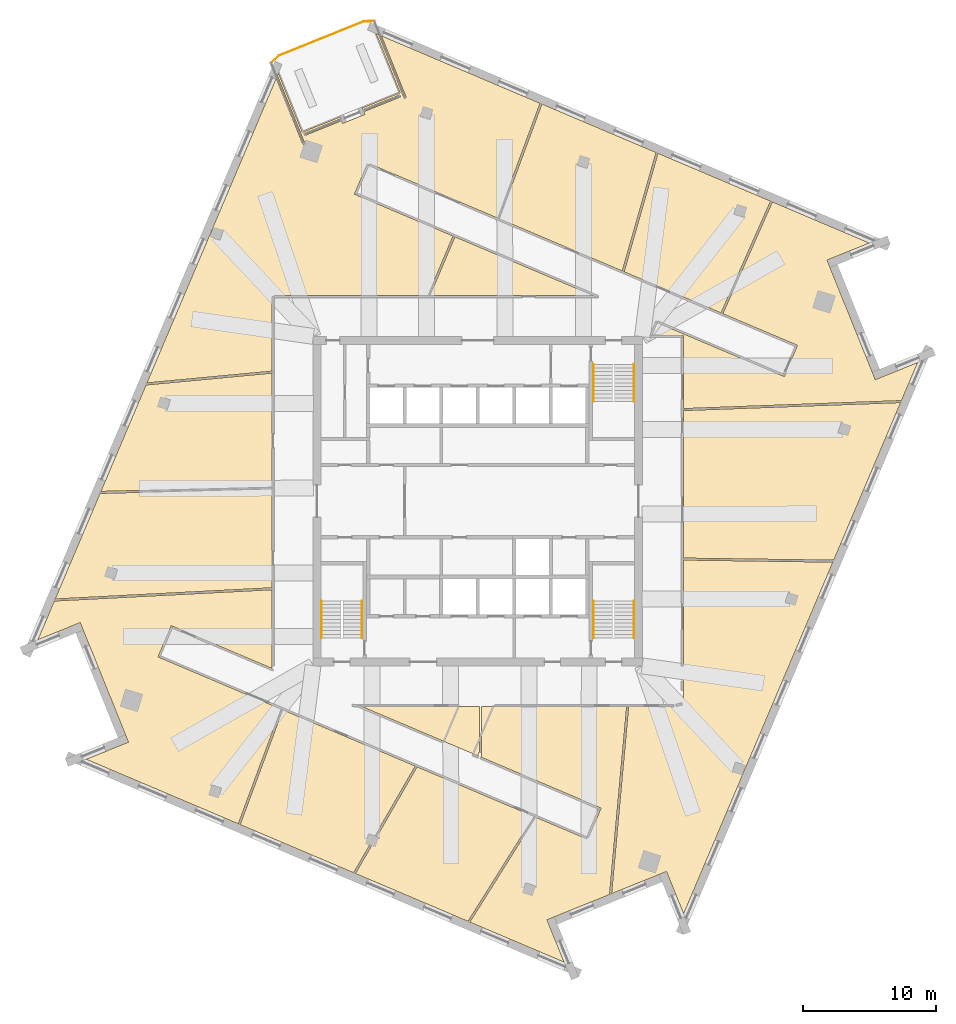
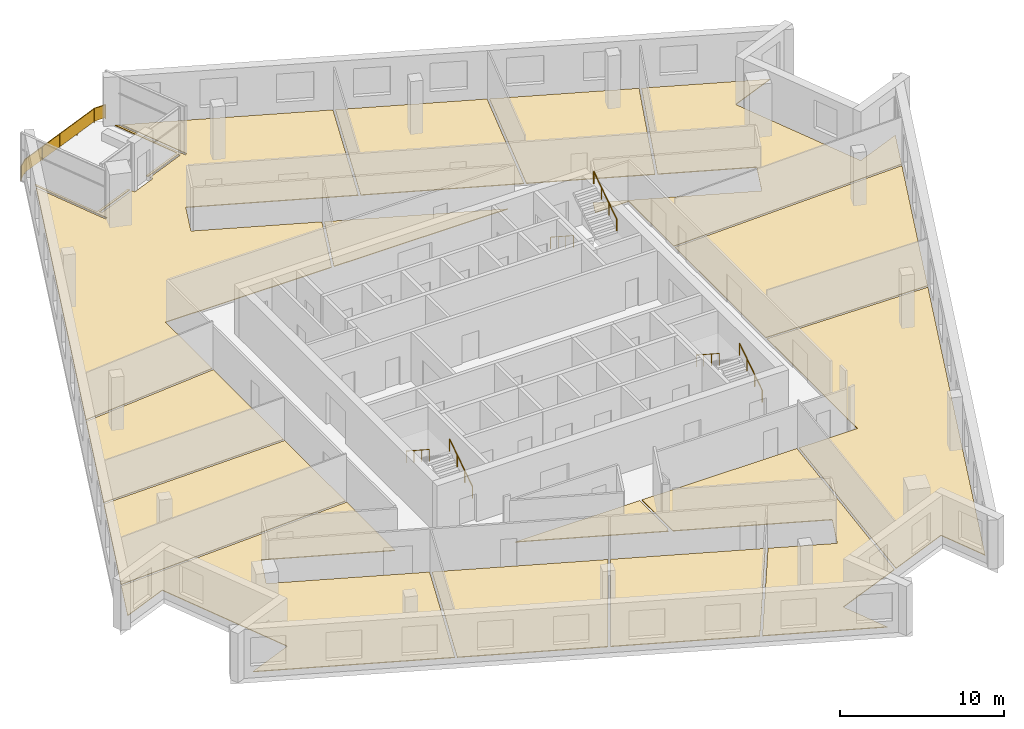
# One storey, part 12 of 13: 14 coverings, 7 railings.
"""IFC4 building model written with IfcOpenShell, lengths in metres."""

from ifc_helpers import new_model, si_unit, direction, frame, origin, origin_2d, place, context, subcontext, project, spatial, polyline, rectangle, circle, outline, extrude, material, layer, layer_set, type_object, element, save


model = new_model("IFC4")

# Units and contexts
model_context = context("Model", 3, precision=1e-05, world=origin(), true_north=direction((0.0, 1.0)))
body_context = subcontext(model_context, "Body", "Model", "MODEL_VIEW")
ifc_project = project(units=[si_unit("LENGTHUNIT", "METRE"), si_unit("AREAUNIT", "SQUARE_METRE"), si_unit("VOLUMEUNIT", "CUBIC_METRE"), si_unit("PLANEANGLEUNIT", "RADIAN"), si_unit("MASSUNIT", "GRAM", prefix="KILO")], contexts=[model_context])

# Site, building, storey
site_placement = place(None, origin())
site = spatial("IfcSite", under=ifc_project, at=site_placement, CompositionType="ELEMENT")
building_placement = place(site_placement, origin())
building = spatial("IfcBuilding", under=site, at=building_placement, Name="Dilmun Exchange Tower", CompositionType="ELEMENT")
storey_placement = place(building_placement, frame((0.0, 0.0, 296.5)))
storey = spatial("IfcBuildingStorey", under=building, at=storey_placement, Name="L70", CompositionType="ELEMENT", Elevation=296.5)

# Coverings
ifc_material_1 = material(Name="Carpet floor finish 50")
ifc_layer_1 = layer(ifc_material_1, 0.050048828125)
ifc_layer_set_1 = layer_set([ifc_layer_1], Name="Carpet floor finish 50")
covering_type_1 = type_object("IfcCoveringType", Name="Carpet floor finish 50", PredefinedType="FLOORING", material=ifc_layer_set_1)
covering_1_placement = place(storey_placement, origin())
element("IfcCovering", 1, at=covering_1_placement, inside=storey, type_object=covering_type_1, Name="Carpet floor finish 50 Garden lounge", PredefinedType="FLOORING", context=body_context, shape_type="SweptSolid", body=[
    extrude(outline(polyline([(-10.367919921875, 28.916259765625), (-10.314208984375, 28.78369140625), (-13.083740234375, 27.664794921875), (-13.083984375, 27.66455078125), (-13.084228515625, 27.66455078125), (-13.084228515625, 27.664306640625), (-13.08447265625, 27.664306640625), (-13.084716796875, 27.664306640625), (-13.084716796875, 27.6640625), (-13.084716796875, 27.663818359375), (-13.0849609375, 27.663818359375), (-13.0849609375, 27.66357421875), (-13.0849609375, 27.663330078125), (-13.085205078125, 27.6630859375), (-13.085205078125, 27.662841796875), (-13.085205078125, 27.66259765625), (-13.0849609375, 27.66259765625), (-13.0849609375, 27.662353515625), (-13.0849609375, 27.662109375), (-13.02490234375, 27.513916015625), (-13.02490234375, 27.513671875), (-13.02490234375, 27.513427734375), (-13.024658203125, 27.51318359375), (-13.024658203125, 27.51318359375), (-13.0244140625, 27.512939453125), (-13.0244140625, 27.512939453125), (-13.024169921875, 27.5126953125), (-13.02392578125, 27.5126953125), (-13.023681640625, 27.5126953125), (-13.0234375, 27.5126953125), (-13.023193359375, 27.512451171875), (-13.023193359375, 27.512451171875), (-13.02294921875, 27.512451171875), (-13.022705078125, 27.5126953125), (-13.022705078125, 27.5126953125), (-13.0224609375, 27.5126953125), (-10.252685546875, 28.631591796875), (-10.171142578125, 28.429443359375), (-10.171142578125, 28.42919921875), (-10.1708984375, 28.42919921875), (-10.1708984375, 28.428955078125), (-10.170654296875, 28.4287109375), (-10.170654296875, 28.4287109375), (-10.17041015625, 28.4287109375), (-10.17041015625, 28.428466796875), (-10.170166015625, 28.428466796875), (-10.169921875, 28.42822265625), (-10.169677734375, 28.42822265625), (-10.16943359375, 28.42822265625), (-10.169189453125, 28.42822265625), (-10.169189453125, 28.42822265625), (-10.1689453125, 28.42822265625), (-10.168701171875, 28.42822265625), (-10.168701171875, 28.428466796875), (-8.499755859375, 29.102783203125), (-8.49951171875, 29.102783203125), (-8.499267578125, 29.102783203125), (-8.499267578125, 29.10302734375), (-8.4990234375, 29.10302734375), (-8.498779296875, 29.103271484375), (-8.498779296875, 29.103515625), (-8.498779296875, 29.103515625), (-8.49853515625, 29.103759765625), (-8.49853515625, 29.10400390625), (-8.49853515625, 29.10400390625), (-8.498291015625, 29.104248046875), (-8.498291015625, 29.1044921875), (-8.498291015625, 29.104736328125), (-8.49853515625, 29.10498046875), (-8.49853515625, 29.10498046875), (-8.49853515625, 29.105224609375), (-8.580078125, 29.307373046875), (-5.810546875, 30.426513671875), (-5.810302734375, 30.426513671875), (-5.810302734375, 30.426513671875), (-5.81005859375, 30.4267578125), (-5.809814453125, 30.4267578125), (-5.809814453125, 30.427001953125), (-5.809814453125, 30.427001953125), (-5.8095703125, 30.42724609375), (-5.8095703125, 30.427490234375), (-5.809326171875, 30.427490234375), (-5.809326171875, 30.427734375), (-5.809326171875, 30.427978515625), (-5.809326171875, 30.42822265625), (-5.809326171875, 30.428466796875), (-5.809326171875, 30.4287109375), (-5.809326171875, 30.4287109375), (-5.8095703125, 30.428955078125), (-5.869384765625, 30.577392578125), (-5.869384765625, 30.577392578125), (-5.86962890625, 30.57763671875), (-5.86962890625, 30.577880859375), (-5.869873046875, 30.577880859375), (-5.8701171875, 30.578125), (-5.8701171875, 30.578125), (-5.870361328125, 30.578369140625), (-5.87060546875, 30.578369140625), (-5.87060546875, 30.57861328125), (-5.870849609375, 30.57861328125), (-5.87109375, 30.57861328125), (-5.87109375, 30.57861328125), (-5.871337890625, 30.57861328125), (-5.87158203125, 30.57861328125), (-5.871826171875, 30.57861328125), (-5.8720703125, 30.578369140625), (-8.6416015625, 29.45947265625), (-8.6953125, 29.592041015625), (-5.856201171875, 30.739013671875), (-7.65234375, 35.18505859375), (-7.46630859375, 35.106201171875), (-5.52685546875, 30.305908203125), (-5.526611328125, 30.3056640625), (-5.526611328125, 30.305419921875), (-5.526611328125, 30.305419921875), (-5.5263671875, 30.30517578125), (-5.5263671875, 30.30517578125), (-5.526123046875, 30.304931640625), (-5.52587890625, 30.304931640625), (-5.52587890625, 30.3046875), (-5.525634765625, 30.3046875), (-5.525390625, 30.3046875), (-5.525146484375, 30.3046875), (-5.52490234375, 30.3046875), (-5.52490234375, 30.3046875), (-5.524658203125, 30.3046875), (-5.5244140625, 30.3046875), (-5.524169921875, 30.3046875), (-5.3759765625, 30.36474609375), (-5.375732421875, 30.36474609375), (-5.37548828125, 30.364990234375), (-5.37548828125, 30.364990234375), (-5.375244140625, 30.364990234375), (-5.375, 30.365234375), (-5.375, 30.365478515625), (-5.375, 30.365478515625), (-5.374755859375, 30.36572265625), (-5.374755859375, 30.365966796875), (-5.374755859375, 30.3662109375), (-5.37451171875, 30.366455078125), (-5.37451171875, 30.36669921875), (-5.37451171875, 30.36669921875), (-5.374755859375, 30.366943359375), (-5.374755859375, 30.3671875), (-5.374755859375, 30.3671875), (-7.252685546875, 35.015380859375), (4.689697265625, 29.946044921875), (1.4921875, 21.30224609375), (-8.284423828125, 25.4521484375), (-9.28076171875, 23.10498046875), (-1.856201171875, 19.953369140625), (-3.757080078125, 15.47509765625), (-15.47509765625, 15.47509765625), (-15.47509765625, 9.785400390625), (-24.90087890625, 8.897705078125), (-15.1728515625, 31.8154296875), (-13.162109375, 26.839111328125), (-13.162109375, 26.8388671875), (-13.162109375, 26.838623046875), (-13.161865234375, 26.83837890625), (-13.161865234375, 26.83837890625), (-13.16162109375, 26.838134765625), (-13.16162109375, 26.838134765625), (-13.161376953125, 26.837890625), (-13.1611328125, 26.837890625), (-13.160888671875, 26.837890625), (-13.160888671875, 26.837890625), (-13.16064453125, 26.837646484375), (-13.160400390625, 26.837646484375), (-13.16015625, 26.837646484375), (-13.159912109375, 26.837890625), (-13.159912109375, 26.837890625), (-13.15966796875, 26.837890625), (-13.01123046875, 26.897705078125), (-13.010986328125, 26.89794921875), (-13.010986328125, 26.89794921875), (-13.0107421875, 26.898193359375), (-13.010498046875, 26.898193359375), (-13.010498046875, 26.8984375), (-13.010498046875, 26.8984375), (-13.01025390625, 26.898681640625), (-13.01025390625, 26.89892578125), (-13.010009765625, 26.899169921875), (-13.010009765625, 26.8994140625), (-13.010009765625, 26.8994140625), (-13.010009765625, 26.899658203125), (-13.010009765625, 26.89990234375), (-13.010009765625, 26.89990234375), (-13.010009765625, 26.900146484375), (-13.01025390625, 26.900390625), (-15.082275390625, 32.029052734375), (-15.00341796875, 32.215087890625), (-13.20703125, 27.769287109375), (-10.367919921875, 28.916259765625)])), origin(), (0.0, 0.0, 1.0), 0.050048828125),
])
covering_2_placement = place(storey_placement, origin())
element("IfcCovering", 2, at=covering_2_placement, inside=storey, type_object=covering_type_1, Name="Carpet floor finish 50 Break-out lounge", PredefinedType="FLOORING", context=body_context, shape_type="SweptSolid", body=[
    extrude(outline(polyline([(0.268310546875, -15.47509765625), (11.2041015625, -15.47509765625), (9.9169921875, -29.608642578125), (5.768310546875, -31.284912109375), (5.2119140625, -31.509521484375), (5.211669921875, -31.509521484375), (5.21142578125, -31.509765625), (5.21142578125, -31.509765625), (5.211181640625, -31.510009765625), (5.211181640625, -31.510009765625), (5.2109375, -31.51025390625), (5.2109375, -31.510498046875), (5.210693359375, -31.510498046875), (5.210693359375, -31.5107421875), (5.210693359375, -31.510986328125), (5.210693359375, -31.51123046875), (5.210693359375, -31.511474609375), (5.210693359375, -31.51171875), (5.210693359375, -31.51171875), (5.210693359375, -31.511962890625), (5.210693359375, -31.51220703125), (6.49658203125, -34.6943359375), (-0.594970703125, -31.684326171875), (4.365478515625, -23.788818359375), (8.284423828125, -25.4521484375), (9.28076171875, -23.10498046875), (0.268310546875, -19.279296875), (0.268310546875, -15.47509765625)])), origin(), (0.0, 0.0, 1.0), 0.050048828125),
])
covering_3_placement = place(storey_placement, origin())
element("IfcCovering", 3, at=covering_3_placement, inside=storey, type_object=covering_type_1, Name="Carpet floor finish 50 Headquarters office", PredefinedType="FLOORING", context=body_context, shape_type="SweptSolid", body=[
    extrude(outline(polyline([(15.47509765625, -4.43505859375), (26.728271484375, -4.5927734375), (15.493896484375, -31.05908203125), (14.208251953125, -27.876953125), (14.2080078125, -27.876708984375), (14.2080078125, -27.876708984375), (14.2080078125, -27.87646484375), (14.207763671875, -27.876220703125), (14.20751953125, -27.876220703125), (14.20751953125, -27.876220703125), (14.207275390625, -27.8759765625), (14.20703125, -27.8759765625), (14.20703125, -27.875732421875), (14.206787109375, -27.875732421875), (14.20654296875, -27.875732421875), (14.206298828125, -27.875732421875), (14.206298828125, -27.875732421875), (14.2060546875, -27.875732421875), (14.205810546875, -27.875732421875), (14.20556640625, -27.8759765625), (13.649658203125, -28.1005859375), (13.649658203125, -28.1005859375), (13.6494140625, -28.1005859375), (13.6494140625, -28.1005859375), (10.0732421875, -29.54541015625), (11.354736328125, -15.47509765625), (15.47509765625, -15.47509765625), (15.47509765625, -4.43505859375)])), origin(), (0.0, 0.0, 1.0), 0.050048828125),
])
ifc_material_2 = material(Name="Rubber floor finish 50")
ifc_layer_2 = layer(ifc_material_2, 0.050048828125)
ifc_layer_set_2 = layer_set([ifc_layer_2], Name="Rubber floor finish 50")
covering_type_2 = type_object("IfcCoveringType", Name="Rubber floor finish 50", PredefinedType="FLOORING", material=ifc_layer_set_2)
covering_4_placement = place(storey_placement, origin())
element("IfcCovering", 4, at=covering_4_placement, inside=storey, type_object=covering_type_2, Name="Rubber floor finish 50 Fitness room 1", PredefinedType="FLOORING", context=body_context, shape_type="SweptSolid", body=[
    extrude(outline(polyline([(-15.47509765625, -6.51904296875), (-31.8037109375, -7.364013671875), (-28.43115234375, 0.5810546875), (-15.47509765625, 0.909423828125), (-15.47509765625, -6.51904296875)])), origin(), (0.0, 0.0, 1.0), 0.050048828125),
])
covering_5_placement = place(storey_placement, origin())
element("IfcCovering", 5, at=covering_5_placement, inside=storey, type_object=covering_type_2, Name="Rubber floor finish 50 Fitness room 2", PredefinedType="FLOORING", context=body_context, shape_type="SweptSolid", body=[
    extrude(outline(polyline([(-14.81396484375, -15.647705078125), (-18.021240234375, -24.287109375), (-29.469970703125, -19.427490234375), (-26.28759765625, -18.141845703125), (-26.28759765625, -18.141845703125), (-26.287353515625, -18.1416015625), (-26.287109375, -18.1416015625), (-26.287109375, -18.1416015625), (-26.286865234375, -18.141357421875), (-26.286865234375, -18.14111328125), (-26.28662109375, -18.14111328125), (-26.28662109375, -18.140869140625), (-26.28662109375, -18.140625), (-26.28662109375, -18.140380859375), (-26.286376953125, -18.140380859375), (-26.286376953125, -18.14013671875), (-26.286376953125, -18.139892578125), (-26.28662109375, -18.1396484375), (-26.28662109375, -18.139404296875), (-26.28662109375, -18.139404296875), (-26.51123046875, -17.58349609375), (-26.51123046875, -17.583251953125), (-26.51123046875, -17.583251953125), (-26.51123046875, -17.5830078125), (-29.695556640625, -9.701904296875), (-29.920166015625, -9.1455078125), (-29.92041015625, -9.1455078125), (-29.92041015625, -9.145263671875), (-29.92041015625, -9.14501953125), (-29.920654296875, -9.14501953125), (-29.9208984375, -9.144775390625), (-29.9208984375, -9.144775390625), (-29.921142578125, -9.14453125), (-29.92138671875, -9.14453125), (-29.92138671875, -9.144287109375), (-29.921630859375, -9.144287109375), (-29.921875, -9.144287109375), (-29.922119140625, -9.144287109375), (-29.92236328125, -9.144287109375), (-29.922607421875, -9.144287109375), (-29.922607421875, -9.144287109375), (-29.9228515625, -9.14453125), (-33.10498046875, -10.43017578125), (-31.868896484375, -7.517578125), (-15.47509765625, -6.669189453125), (-15.47509765625, -12.5966796875), (-23.0673828125, -9.3740234375), (-24.063720703125, -11.72119140625), (-14.81396484375, -15.647705078125)])), origin(), (0.0, 0.0, 1.0), 0.050048828125),
])
covering_6_placement = place(storey_placement, origin())
element("IfcCovering", 6, at=covering_6_placement, inside=storey, type_object=covering_type_2, Name="Rubber floor finish 50 Fitness room 3", PredefinedType="FLOORING", context=body_context, shape_type="SweptSolid", body=[
    extrude(outline(polyline([(-24.508544921875, 0.83056640625), (-28.36669921875, 0.73291015625), (-24.967529296875, 8.74072265625), (-15.47509765625, 9.634765625), (-15.47509765625, 1.059326171875), (-24.508544921875, 0.83056640625)])), origin(), (0.0, 0.0, 1.0), 0.050048828125),
])
covering_7_placement = place(storey_placement, origin())
element("IfcCovering", 7, at=covering_7_placement, inside=storey, type_object=covering_type_2, Name="Rubber floor finish 50 Fitness room 4", PredefinedType="FLOORING", context=body_context, shape_type="SweptSolid", body=[
    extrude(outline(polyline([(18.30908203125, 14.163818359375), (11.0166015625, 17.259521484375), (13.56201171875, 26.18017578125), (22.03857421875, 22.58203125), (18.30908203125, 14.163818359375)])), origin(), (0.0, 0.0, 1.0), 0.050048828125),
])
covering_8_placement = place(storey_placement, origin())
element("IfcCovering", 8, at=covering_8_placement, inside=storey, type_object=covering_type_2, Name="Rubber floor finish 50 Fitness room 5", PredefinedType="FLOORING", context=body_context, shape_type="SweptSolid", body=[
    extrude(outline(polyline([(13.510009765625, 13.430908203125), (23.0673828125, 9.374267578125), (24.063232421875, 11.72119140625), (18.447265625, 14.105224609375), (22.1767578125, 22.523193359375), (29.469970703125, 19.427490234375), (26.28759765625, 18.141845703125), (26.28759765625, 18.141845703125), (26.287353515625, 18.1416015625), (26.287109375, 18.1416015625), (26.287109375, 18.1416015625), (26.286865234375, 18.141357421875), (26.286865234375, 18.14111328125), (26.28662109375, 18.14111328125), (26.28662109375, 18.140869140625), (26.28662109375, 18.140625), (26.28662109375, 18.140380859375), (26.286376953125, 18.140380859375), (26.286376953125, 18.14013671875), (26.286376953125, 18.139892578125), (26.28662109375, 18.1396484375), (26.28662109375, 18.139404296875), (26.28662109375, 18.139404296875), (26.51123046875, 17.58349609375), (26.51123046875, 17.583251953125), (26.51123046875, 17.583251953125), (26.51123046875, 17.5830078125), (29.695556640625, 9.701904296875), (29.920166015625, 9.1455078125), (29.92041015625, 9.1455078125), (29.92041015625, 9.145263671875), (29.92041015625, 9.14501953125), (29.920654296875, 9.14501953125), (29.9208984375, 9.144775390625), (29.9208984375, 9.144775390625), (29.921142578125, 9.14453125), (29.92138671875, 9.14453125), (29.92138671875, 9.144287109375), (29.921630859375, 9.144287109375), (29.921875, 9.144287109375), (29.922119140625, 9.144287109375), (29.92236328125, 9.144287109375), (29.922607421875, 9.144287109375), (29.922607421875, 9.144287109375), (29.9228515625, 9.14453125), (33.10498046875, 10.43017578125), (31.89111328125, 7.56982421875), (15.47509765625, 6.964111328125), (15.47509765625, 12.474609375), (13.104248046875, 12.47509765625), (13.510009765625, 13.430908203125)])), origin(), (0.0, 0.0, 1.0), 0.050048828125),
])

# Railings
ifc_material_3 = material(Name="Stainless steel", Category="steel")
railing_type_1 = type_object("IfcRailingType", Name="Stair handrail 900", PredefinedType="HANDRAIL", material=ifc_material_3)
railing_1_placement = place(storey_placement, frame((8.699951171875, 10.300048828125, 0.181884765625)))
element("IfcRailing", 9, at=railing_1_placement, inside=storey, type_object=railing_type_1, Name="L70 ST1 stair handrail 1", PredefinedType="HANDRAIL", context=body_context, shape_type="SweptSolid", body=[
    extrude(circle(Radius=0.02392578125, at=origin_2d()), frame((0.0, 0.0, 0.8759765625), z_axis=(0.0, -0.838705829183, 0.544584733623), x_axis=(1.0, 0.0, 0.0)), (0.0, 0.0, 1.0), 3.338623046875),
    extrude(circle(Radius=0.02099609375, at=origin_2d()), origin(), (0.0, 0.0, 1.0), 0.851806640625),
    extrude(circle(Radius=0.02099609375, at=origin_2d()), frame((0.0, -0.933349609375, 0.60595703125)), (0.0, 0.0, 1.0), 0.851806640625),
    extrude(circle(Radius=0.02099609375, at=origin_2d()), frame((0.0, -1.86669921875, 1.212158203125)), (0.0, 0.0, 1.0), 0.851806640625),
    extrude(circle(Radius=0.02099609375, at=origin_2d()), frame((0.0, -2.800048828125, 1.818115234375)), (0.0, 0.0, 1.0), 0.851806640625),
])
for number, where, name in (
    (10, (11.75, 7.5, 2.181884765625), "L70 ST1 stair handrail 2"),
    (11, (-8.699951171875, -10.300048828125, 0.181884765625), "L70 ST2 stair handrail 1"),
):
    element("IfcRailing", number, at=place(storey_placement, frame(where)), inside=storey, type_object=railing_type_1, Name=name, PredefinedType="HANDRAIL", context=body_context, shape_type="SweptSolid", body=[
        extrude(circle(Radius=0.02392578125, at=origin_2d()), frame((0.0, 0.0, 0.8759765625), z_axis=(0.0, 0.838705829183, 0.544584733623), x_axis=(-1.0, 0.0, 0.0)), (0.0, 0.0, 1.0), 3.338623046875),
        extrude(circle(Radius=0.02099609375, at=origin_2d()), origin(), (0.0, 0.0, 1.0), 0.851806640625),
        extrude(circle(Radius=0.02099609375, at=origin_2d()), frame((0.0, 0.933349609375, 0.60595703125)), (0.0, 0.0, 1.0), 0.851806640625),
        extrude(circle(Radius=0.02099609375, at=origin_2d()), frame((0.0, 1.86669921875, 1.212158203125)), (0.0, 0.0, 1.0), 0.851806640625),
        extrude(circle(Radius=0.02099609375, at=origin_2d()), frame((0.0, 2.800048828125, 1.818115234375)), (0.0, 0.0, 1.0), 0.851806640625),
    ])
railing_2_placement = place(storey_placement, frame((-11.75, -7.5, 2.181884765625)))
element("IfcRailing", 12, at=railing_2_placement, inside=storey, type_object=railing_type_1, Name="L70 ST2 stair handrail 2", PredefinedType="HANDRAIL", context=body_context, shape_type="SweptSolid", body=[
    extrude(circle(Radius=0.02392578125, at=origin_2d()), frame((0.0, 0.0, 0.8759765625), z_axis=(0.0, -0.838705829183, 0.544584733623), x_axis=(1.0, 0.0, 0.0)), (0.0, 0.0, 1.0), 3.338623046875),
    extrude(circle(Radius=0.02099609375, at=origin_2d()), origin(), (0.0, 0.0, 1.0), 0.851806640625),
    extrude(circle(Radius=0.02099609375, at=origin_2d()), frame((0.0, -0.933349609375, 0.60595703125)), (0.0, 0.0, 1.0), 0.851806640625),
    extrude(circle(Radius=0.02099609375, at=origin_2d()), frame((0.0, -1.86669921875, 1.212158203125)), (0.0, 0.0, 1.0), 0.851806640625),
    extrude(circle(Radius=0.02099609375, at=origin_2d()), frame((0.0, -2.800048828125, 1.818115234375)), (0.0, 0.0, 1.0), 0.851806640625),
])
railing_3_placement = place(storey_placement, frame((11.75, -10.300048828125, 0.181884765625)))
element("IfcRailing", 13, at=railing_3_placement, inside=storey, type_object=railing_type_1, Name="L70 ST3 stair handrail 1", PredefinedType="HANDRAIL", context=body_context, shape_type="SweptSolid", body=[
    extrude(circle(Radius=0.02392578125, at=origin_2d()), frame((0.0, 0.0, 0.8759765625), z_axis=(0.0, 0.838705829183, 0.544584733623), x_axis=(-1.0, 0.0, 0.0)), (0.0, 0.0, 1.0), 3.338623046875),
    extrude(circle(Radius=0.02099609375, at=origin_2d()), origin(), (0.0, 0.0, 1.0), 0.851806640625),
    extrude(circle(Radius=0.02099609375, at=origin_2d()), frame((0.0, 0.933349609375, 0.60595703125)), (0.0, 0.0, 1.0), 0.851806640625),
    extrude(circle(Radius=0.02099609375, at=origin_2d()), frame((0.0, 1.86669921875, 1.212158203125)), (0.0, 0.0, 1.0), 0.851806640625),
    extrude(circle(Radius=0.02099609375, at=origin_2d()), frame((0.0, 2.800048828125, 1.818115234375)), (0.0, 0.0, 1.0), 0.851806640625),
])
railing_4_placement = place(storey_placement, frame((8.699951171875, -7.5, 2.181884765625)))
element("IfcRailing", 14, at=railing_4_placement, inside=storey, type_object=railing_type_1, Name="L70 ST3 stair handrail 2", PredefinedType="HANDRAIL", context=body_context, shape_type="SweptSolid", body=[
    extrude(circle(Radius=0.02392578125, at=origin_2d()), frame((0.0, 0.0, 0.8759765625), z_axis=(0.0, -0.838705829183, 0.544584733623), x_axis=(1.0, 0.0, 0.0)), (0.0, 0.0, 1.0), 3.338623046875),
    extrude(circle(Radius=0.02099609375, at=origin_2d()), origin(), (0.0, 0.0, 1.0), 0.851806640625),
    extrude(circle(Radius=0.02099609375, at=origin_2d()), frame((0.0, -0.933349609375, 0.60595703125)), (0.0, 0.0, 1.0), 0.851806640625),
    extrude(circle(Radius=0.02099609375, at=origin_2d()), frame((0.0, -1.86669921875, 1.212158203125)), (0.0, 0.0, 1.0), 0.851806640625),
    extrude(circle(Radius=0.02099609375, at=origin_2d()), frame((0.0, -2.800048828125, 1.818115234375)), (0.0, 0.0, 1.0), 0.851806640625),
])

# Coverings
ifc_material_4 = material(Name="Stone floor finish 50", Category="masonry")
ifc_layer_3 = layer(ifc_material_4, 0.050048828125)
ifc_layer_set_3 = layer_set([ifc_layer_3], Name="Stone floor finish 50")
covering_type_3 = type_object("IfcCoveringType", Name="Stone floor finish 50", PredefinedType="FLOORING", material=ifc_layer_set_3)
covering_9_placement = place(storey_placement, origin())
element("IfcCovering", 15, at=covering_9_placement, inside=storey, type_object=covering_type_3, Name="Stone floor finish 50 Reception 1", PredefinedType="FLOORING", context=body_context, shape_type="SweptSolid", body=[
    extrude(outline(polyline([(-4.703857421875, -19.93896484375), (-9.34228515625, -27.97119140625), (-17.883056640625, -24.345947265625), (-14.675537109375, -15.706298828125), (-4.703857421875, -19.93896484375)])), origin(), (0.0, 0.0, 1.0), 0.050048828125),
])
covering_10_placement = place(storey_placement, origin())
element("IfcCovering", 16, at=covering_10_placement, inside=storey, type_object=covering_type_3, Name="Stone floor finish 50 Reception 2", PredefinedType="FLOORING", context=body_context, shape_type="SweptSolid", body=[
    extrude(outline(polyline([(4.225830078125, -23.7294921875), (-0.73486328125, -31.625), (-9.203369140625, -28.0302734375), (-4.564697265625, -19.998046875), (4.225830078125, -23.7294921875)])), origin(), (0.0, 0.0, 1.0), 0.050048828125),
])
covering_11_placement = place(storey_placement, origin())
element("IfcCovering", 17, at=covering_11_placement, inside=storey, type_object=covering_type_3, Name="Stone floor finish 50 Reception 3", PredefinedType="FLOORING", context=body_context, shape_type="SweptSolid", body=[
    extrude(outline(polyline([(1.630615234375, 21.24365234375), (4.827880859375, 29.887451171875), (13.4228515625, 26.239013671875), (10.87744140625, 17.318359375), (1.630615234375, 21.24365234375)])), origin(), (0.0, 0.0, 1.0), 0.050048828125),
])

# Railing
railing_type_2 = type_object("IfcRailingType", Name="Terrace guard 1100 stainless steel", PredefinedType="GUARDRAIL", material=ifc_material_3)
railing_5_placement = place(storey_placement, frame((-15.558837890625, 32.98974609375, 0.0)))
element("IfcRailing", 18, at=railing_5_placement, inside=storey, type_object=railing_type_2, Name="Terrace guard 1", PredefinedType="GUARDRAIL", context=body_context, shape_type="SweptSolid", body=[
    extrude(circle(Radius=0.02392578125, at=origin_2d()), frame((0.0, 0.0, 1.076171875), z_axis=(0.739522692087, 0.673131627461, 0.0), x_axis=(-0.673131627461, 0.739522692087, 0.0)), (0.0, 0.0, 1.0), 0.794189453125),
    extrude(rectangle(XDim=0.011962890625, YDim=0.951904296875, at=origin_2d()), frame((0.0, 0.0, 0.576171875), z_axis=(0.739522692087, 0.673131627461, 0.0), x_axis=(-0.673131627461, 0.739522692087, 0.0)), (0.0, 0.0, 1.0), 0.794189453125),
    extrude(circle(Radius=0.02392578125, at=origin_2d()), frame((0.58740234375, 0.53466796875, 1.076171875), z_axis=(0.927175558092, 0.374627127257, 0.0), x_axis=(-0.374627127257, 0.927175558092, 0.0)), (0.0, 0.0, 1.0), 6.888427734375),
    extrude(rectangle(XDim=0.011962890625, YDim=0.951904296875, at=origin_2d()), frame((0.58740234375, 0.53466796875, 0.576171875), z_axis=(0.927175558092, 0.374627127257, 0.0), x_axis=(-0.374627127257, 0.927175558092, 0.0)), (0.0, 0.0, 1.0), 6.888427734375),
    extrude(circle(Radius=0.02392578125, at=origin_2d()), frame((6.97412109375, 3.115234375, 1.076171875), z_axis=(0.999573579295, 0.029200335189, 0.0), x_axis=(-0.029200335189, 0.999573579295, 0.0)), (0.0, 0.0, 1.0), 0.794189453125),
    extrude(rectangle(XDim=0.011962890625, YDim=0.951904296875, at=origin_2d()), frame((6.97412109375, 3.115234375, 0.576171875), z_axis=(0.999573579295, 0.029200335189, 0.0), x_axis=(-0.029200335189, 0.999573579295, 0.0)), (0.0, 0.0, 1.0), 0.794189453125),
    extrude(circle(Radius=0.02099609375, at=origin_2d()), origin(), (0.0, 0.0, 1.0), 1.052001953125),
    extrude(circle(Radius=0.02099609375, at=origin_2d()), frame((0.58740234375, 0.53466796875, 0.0)), (0.0, 0.0, 1.0), 1.052001953125),
    extrude(circle(Radius=0.02099609375, at=origin_2d()), frame((2.18408203125, 1.1796875, 0.0)), (0.0, 0.0, 1.0), 1.052001953125),
    extrude(circle(Radius=0.02099609375, at=origin_2d()), frame((3.78076171875, 1.824951171875, 0.0)), (0.0, 0.0, 1.0), 1.052001953125),
    extrude(circle(Radius=0.02099609375, at=origin_2d()), frame((5.37744140625, 2.47021484375, 0.0)), (0.0, 0.0, 1.0), 1.052001953125),
    extrude(circle(Radius=0.02099609375, at=origin_2d()), frame((6.97412109375, 3.115234375, 0.0)), (0.0, 0.0, 1.0), 1.052001953125),
    extrude(circle(Radius=0.02099609375, at=origin_2d()), frame((7.76806640625, 3.138427734375, 0.0)), (0.0, 0.0, 1.0), 1.052001953125),
])

# Coverings
ifc_material_5 = material(Name="Tile floor finish 50")
ifc_layer_4 = layer(ifc_material_5, 0.050048828125)
ifc_layer_set_4 = layer_set([ifc_layer_4], Name="Tile floor finish 50")
covering_type_4 = type_object("IfcCoveringType", Name="Tile floor finish 50", PredefinedType="FLOORING", material=ifc_layer_set_4)
covering_12_placement = place(storey_placement, origin())
element("IfcCovering", 19, at=covering_12_placement, inside=storey, type_object=covering_type_4, Name="Tile floor finish 50 Pantry 1", PredefinedType="FLOORING", context=body_context, shape_type="SweptSolid", body=[
    extrude(outline(polyline([(0.1181640625, -15.47509765625), (0.1181640625, -18.876708984375), (-0.003662109375, -19.163818359375), (-8.694091796875, -15.47509765625), (0.1181640625, -15.47509765625)])), origin(), (0.0, 0.0, 1.0), 0.050048828125),
])
covering_13_placement = place(storey_placement, origin())
element("IfcCovering", 20, at=covering_13_placement, inside=storey, type_object=covering_type_4, Name="Tile floor finish 50 Pantry 2", PredefinedType="FLOORING", context=body_context, shape_type="SweptSolid", body=[
    extrude(outline(polyline([(-3.59423828125, 15.47509765625), (-1.718017578125, 19.894775390625), (8.694091796875, 15.47509765625), (-3.59423828125, 15.47509765625)])), origin(), (0.0, 0.0, 1.0), 0.050048828125),
])
covering_14_placement = place(storey_placement, origin())
element("IfcCovering", 21, at=covering_14_placement, inside=storey, type_object=covering_type_4, Name="Tile floor finish 50 Staff restaurant", PredefinedType="FLOORING", context=body_context, shape_type="SweptSolid", body=[
    extrude(outline(polyline([(15.47509765625, 6.814208984375), (31.826171875, 7.417236328125), (26.79150390625, -4.443603515625), (15.47509765625, -4.28515625), (15.47509765625, 6.814208984375)])), origin(), (0.0, 0.0, 1.0), 0.050048828125),
])

save(model, "model.ifc")
